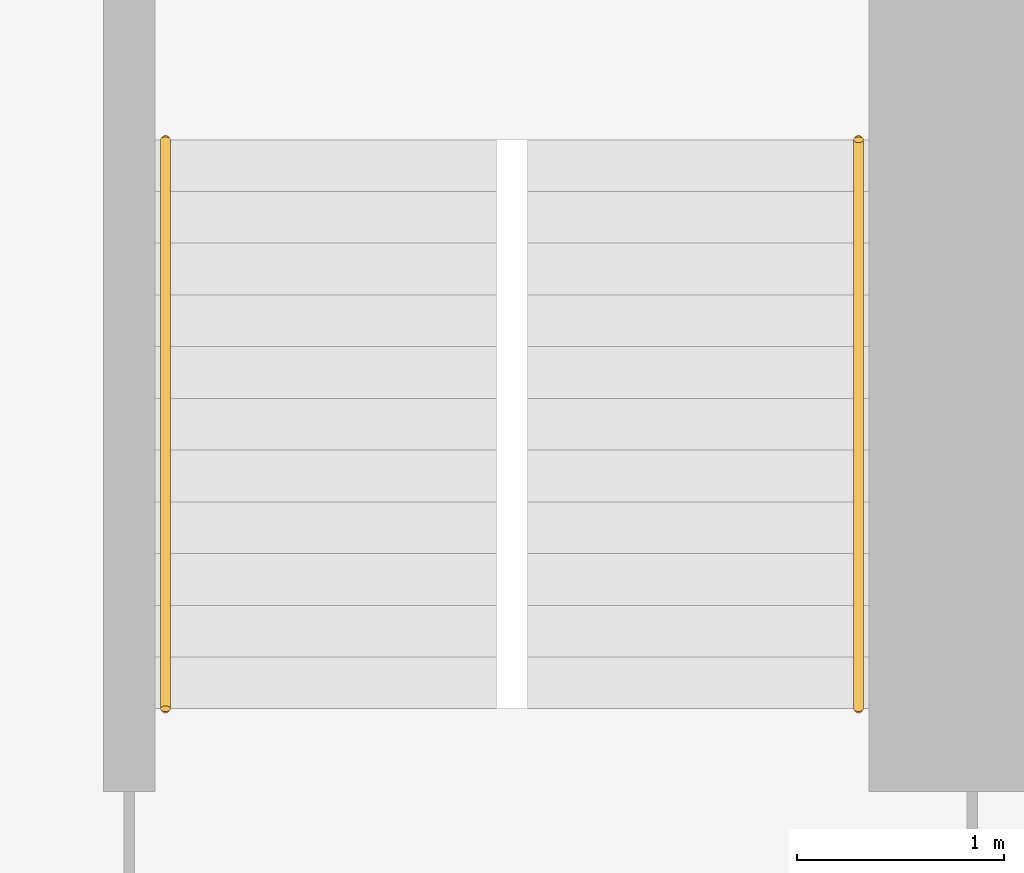
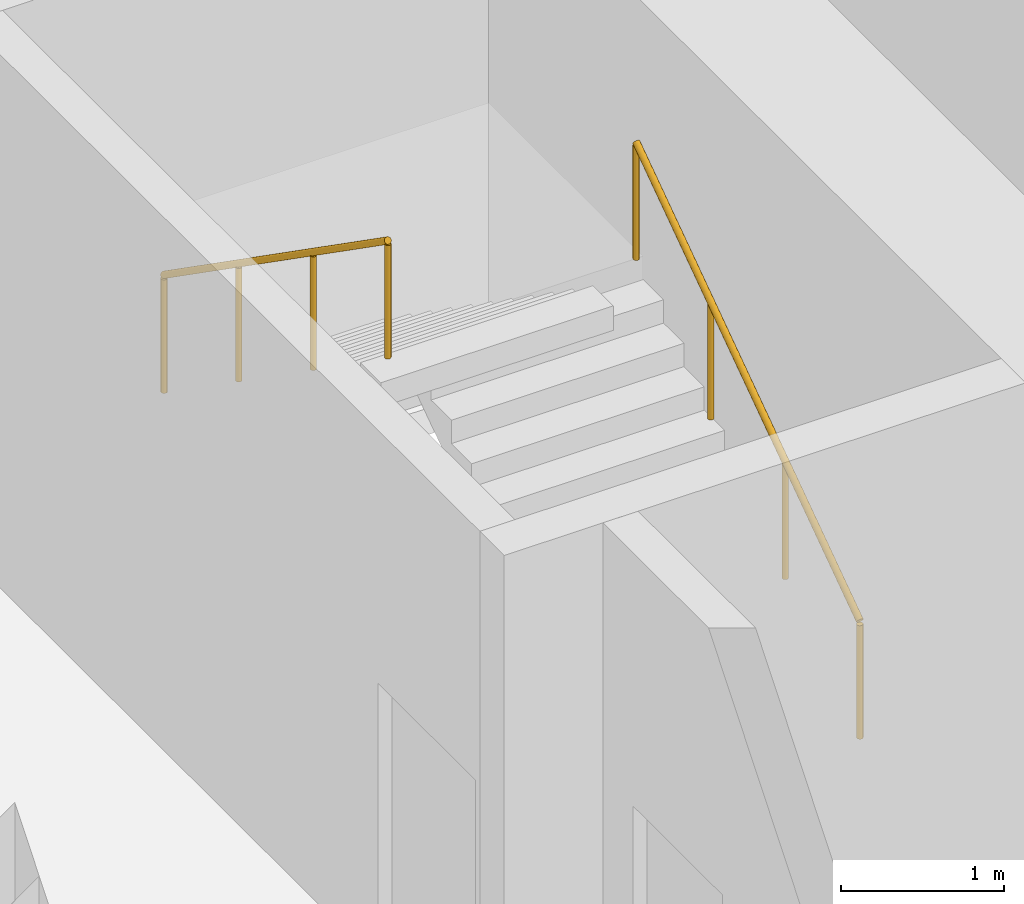
# One storey, part 10 of 10: 2 railings.
"""IFC4 building model written with IfcOpenShell, lengths in metres."""

from ifc_helpers import new_model, si_unit, direction, frame, origin, origin_2d, place, context, subcontext, project, spatial, circle, extrude, material, type_object, element, save


model = new_model("IFC4")

# Units and contexts
model_context = context("Model", 3, precision=1e-05, world=origin(), true_north=direction((0.0, 1.0)))
body_context = subcontext(model_context, "Body", "Model", "MODEL_VIEW")
ifc_project = project(units=[si_unit("LENGTHUNIT", "METRE"), si_unit("AREAUNIT", "SQUARE_METRE"), si_unit("VOLUMEUNIT", "CUBIC_METRE"), si_unit("PLANEANGLEUNIT", "RADIAN"), si_unit("MASSUNIT", "GRAM", prefix="KILO")], contexts=[model_context])

# Site, building, storey
site_placement = place(None, origin())
site = spatial("IfcSite", under=ifc_project, at=site_placement, CompositionType="ELEMENT")
building_placement = place(site_placement, origin())
building = spatial("IfcBuilding", under=site, at=building_placement, Name="Ogive Exchange Tower", CompositionType="ELEMENT")
storey_placement = place(building_placement, frame((0.0, 0.0, 52.199951171875)))
storey = spatial("IfcBuildingStorey", under=building, at=storey_placement, Name="L10", CompositionType="ELEMENT", Elevation=52.199951171875)

# Railings
ifc_material = material(Name="Stainless steel", Category="steel")
railing_type = type_object("IfcRailingType", Name="Stair handrail 900", PredefinedType="HANDRAIL", material=ifc_material)
railing_1_placement = place(storey_placement, frame((20.949951171875, 20.800048828125, 0.175048828125)))
element("IfcRailing", 1, at=railing_1_placement, inside=storey, type_object=railing_type, Name="L10 ST4 stair handrail 1", PredefinedType="HANDRAIL", context=body_context, shape_type="SweptSolid", body=[
    extrude(circle(Radius=0.02392578125, at=origin_2d()), frame((0.0, 0.0, 0.8759765625), z_axis=(0.0, 0.819225086817, 0.573472106672), x_axis=(-1.0, 0.0, 0.0)), (0.0, 0.0, 1.0), 3.35693359375),
    extrude(circle(Radius=0.02099609375, at=origin_2d()), origin(), (0.0, 0.0, 1.0), 0.851806640625),
    extrude(circle(Radius=0.02099609375, at=origin_2d()), frame((0.0, 0.916748046875, 0.6416015625)), (0.0, 0.0, 1.0), 0.851806640625),
    extrude(circle(Radius=0.02099609375, at=origin_2d()), frame((0.0, 1.833251953125, 1.283447265625)), (0.0, 0.0, 1.0), 0.851806640625),
    extrude(circle(Radius=0.02099609375, at=origin_2d()), frame((0.0, 2.75, 1.925048828125)), (0.0, 0.0, 1.0), 0.851806640625),
])
railing_2_placement = place(storey_placement, frame((17.60009765625, 23.550048828125, 2.275146484375)))
element("IfcRailing", 2, at=railing_2_placement, inside=storey, type_object=railing_type, Name="L10 ST4 stair handrail 2", PredefinedType="HANDRAIL", context=body_context, shape_type="SweptSolid", body=[
    extrude(circle(Radius=0.02392578125, at=origin_2d()), frame((0.0, 0.0, 0.8759765625), z_axis=(0.0, -0.819259255306, 0.573423292687), x_axis=(1.0, 0.0, 0.0)), (0.0, 0.0, 1.0), 3.356689453125),
    extrude(circle(Radius=0.02099609375, at=origin_2d()), origin(), (0.0, 0.0, 1.0), 0.851806640625),
    extrude(circle(Radius=0.02099609375, at=origin_2d()), frame((0.0, -0.916748046875, 0.6416015625)), (0.0, 0.0, 1.0), 0.851806640625),
    extrude(circle(Radius=0.02099609375, at=origin_2d()), frame((0.0, -1.833251953125, 1.283203125)), (0.0, 0.0, 1.0), 0.851806640625),
    extrude(circle(Radius=0.02099609375, at=origin_2d()), frame((0.0, -2.75, 1.9248046875)), (0.0, 0.0, 1.0), 0.851806640625),
])

save(model, "model.ifc")
